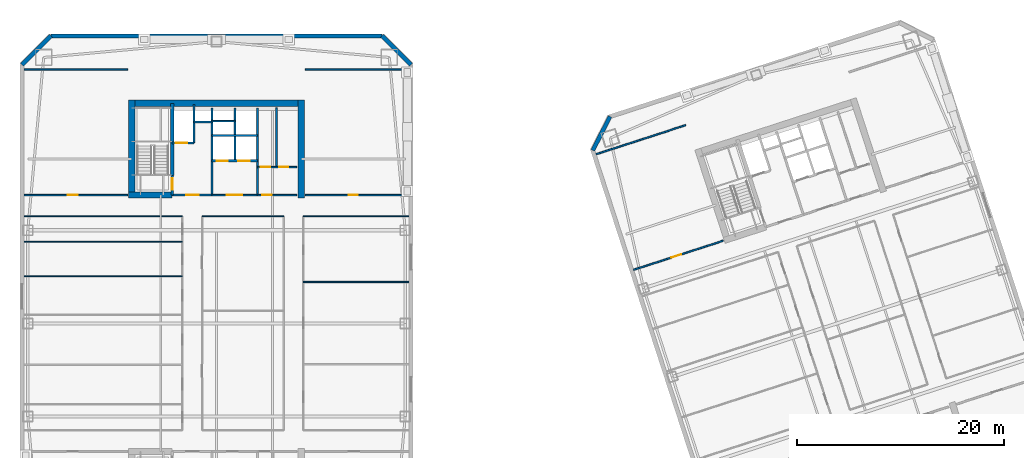
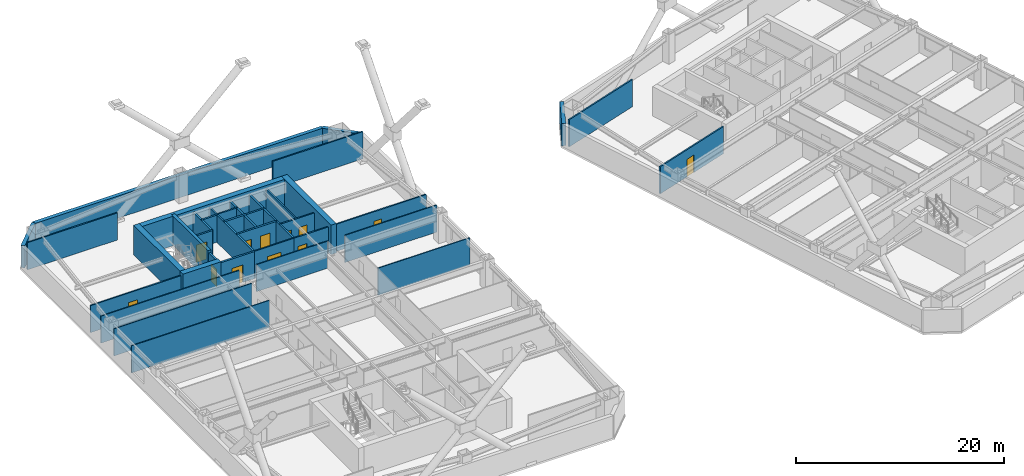
# One storey, part 6 of 12: 36 walls, 12 doors, 12 openings.
"""IFC4 building model written with IfcOpenShell, lengths in metres."""

from ifc_helpers import new_model, si_unit, direction, frame, frame_2d, origin, place, context, subcontext, project, spatial, rectangle, extrude, material, layer, layer_set, type_object, element, fill, save


model = new_model("IFC4")

# Units and contexts
model_context = context("Model", 3, precision=1e-05, world=origin(), true_north=direction((0.0, 1.0)))
body_context = subcontext(model_context, "Body", "Model", "MODEL_VIEW")
ifc_project = project(units=[si_unit("LENGTHUNIT", "METRE"), si_unit("AREAUNIT", "SQUARE_METRE"), si_unit("VOLUMEUNIT", "CUBIC_METRE"), si_unit("PLANEANGLEUNIT", "RADIAN"), si_unit("MASSUNIT", "GRAM", prefix="KILO")], contexts=[model_context])

# Site, building, storey
site_placement = place(None, origin())
site = spatial("IfcSite", under=ifc_project, at=site_placement, CompositionType="ELEMENT")
building_placement = place(site_placement, origin())
building = spatial("IfcBuilding", under=site, at=building_placement, Name="Qiaolan Cultural Towers", CompositionType="ELEMENT")
storey_placement = place(building_placement, frame((0.0, 0.0, 106.949951171875)))
storey = spatial("IfcBuildingStorey", under=building, at=storey_placement, Name="L27", CompositionType="ELEMENT", Elevation=106.949951171875)

# Walls
ifc_material_1 = material(Name="Concrete C50", Category="concrete")
ifc_layer_1 = layer(ifc_material_1, 0.35009765625)
ifc_layer_set_1 = layer_set([ifc_layer_1], Name="Concrete C50")
wall_type_1 = type_object("IfcWallType", Name="WL-CORE-350", PredefinedType="SHEAR", material=ifc_layer_set_1)
wall_1_placement = place(storey_placement, frame((25.719970703125, 48.300048828125, 0.0), z_axis=(0.0, 0.0, 1.0), x_axis=(0.0, 1.0, 0.0)))
element("IfcWall", 1, at=wall_1_placement, inside=storey, type_object=wall_type_1, Name="L27 T1-CN Stair Core Dividing Web", PredefinedType="SHEAR", context=body_context, shape_type="SweptSolid", body=[
    extrude(rectangle(XDim=6.97998046875, YDim=0.35009765625, at=frame_2d((3.489990234375, 0.0))), origin(), (0.0, 0.0, 1.0), 3.449951171875),
])
ifc_material_2 = material(Name="Concrete C55", Category="concrete")
ifc_layer_2 = layer(ifc_material_2, 0.60009765625)
ifc_layer_set_2 = layer_set([ifc_layer_2], Name="Concrete C55")
wall_type_2 = type_object("IfcWallType", Name="WL-CORE-600", PredefinedType="SHEAR", material=ifc_layer_set_2)
wall_2_placement = place(storey_placement, frame((21.5, 55.280029296875, 0.0), z_axis=(0.0, 0.0, 1.0), x_axis=(1.0, 0.0, 0.0)))
element("IfcWall", 2, at=wall_2_placement, inside=storey, type_object=wall_type_2, Name="L27 T1-CN Outer Core Shear Wall", PredefinedType="SHEAR", context=body_context, shape_type="SweptSolid", body=[
    extrude(rectangle(XDim=17.0, YDim=0.60009765625, at=frame_2d((8.5, 0.0))), origin(), (0.0, 0.0, 1.0), 3.449951171875),
])
for number, where, z_axis, x_axis, name in (
    (3, (21.800048828125, 46.10009765625, 0.0), (0.0, 0.0, 1.0), (0.0, 1.0, 0.0), "L27 T1-CN West Core Shear Wall"),
    (4, (38.199951171875, 46.10009765625, 0.0), (0.0, 0.0, 1.0), (0.0, 1.0, 0.0), "L27 T1-CN East Core Shear Wall"),
):
    element("IfcWall", number, at=place(storey_placement, frame(where, z_axis=z_axis, x_axis=x_axis)), inside=storey, type_object=wall_type_2, Name=name, PredefinedType="SHEAR", context=body_context, shape_type="SweptSolid", body=[
        extrude(rectangle(XDim=9.47998046875, YDim=0.60009765625, at=frame_2d((4.739990234375, 0.0))), origin(), (0.0, 0.0, 1.0), 3.449951171875),
    ])
wall_3_placement = place(storey_placement, frame((21.5, 46.39990234375, 0.0), z_axis=(0.0, 0.0, 1.0), x_axis=(1.0, 0.0, 0.0)))
element("IfcWall", 5, at=wall_3_placement, inside=storey, type_object=wall_type_2, Name="L27 T1-CN Stair Front Shear Wall", PredefinedType="SHEAR", context=body_context, shape_type="SweptSolid", body=[
    extrude(rectangle(XDim=4.219970703125, YDim=0.60009765625, at=frame_2d((2.10986328125, 0.0))), origin(), (0.0, 0.0, 1.0), 3.449951171875),
])
ifc_material_3 = material(Name="Precast Concrete C50 Honed Stone Pier", Category="masonry")
ifc_layer_3 = layer(ifc_material_3, 0.39990234375)
ifc_layer_set_3 = layer_set([ifc_layer_3], Name="Precast Concrete C50 Honed Stone Pier")
wall_type_3 = type_object("IfcWallType", Name="WL-EXT-PIER-400", PredefinedType="SOLIDWALL", material=ifc_layer_set_3)
wall_4_placement = place(storey_placement, frame((11.199951171875, 59.0, 0.0), z_axis=(0.0, 0.0, 1.0), x_axis=(0.707106781187, 0.707106781187, 0.0)))
element("IfcWall", 6, at=wall_4_placement, inside=storey, type_object=wall_type_3, Name="L27 West Tower Precast Pier Facade Wall F2", PredefinedType="SOLIDWALL", context=body_context, shape_type="SweptSolid", body=[
    extrude(rectangle(XDim=3.9599609375, YDim=0.39990234375, at=frame_2d((1.97998046875, 0.0))), origin(), (0.0, 0.0, 1.0), 2.610107421875),
])
wall_5_placement = place(storey_placement, frame((14.0, 61.800048828125, 0.0), z_axis=(0.0, 0.0, 1.0), x_axis=(1.0, 0.0, 0.0)))
element("IfcWall", 7, at=wall_5_placement, inside=storey, type_object=wall_type_3, Name="L27 West Tower Precast Pier Facade Wall F3", PredefinedType="SOLIDWALL", context=body_context, shape_type="SweptSolid", body=[
    extrude(rectangle(XDim=32.0, YDim=0.39990234375, at=frame_2d((16.0, 0.0))), origin(), (0.0, 0.0, 1.0), 2.610107421875),
])
wall_6_placement = place(storey_placement, frame((46.0, 61.800048828125, 0.0), z_axis=(0.0, 0.0, 1.0), x_axis=(0.707106781187, -0.707106781187, 0.0)))
element("IfcWall", 8, at=wall_6_placement, inside=storey, type_object=wall_type_3, Name="L27 West Tower Precast Pier Facade Wall F4", PredefinedType="SOLIDWALL", context=body_context, shape_type="SweptSolid", body=[
    extrude(rectangle(XDim=3.9599609375, YDim=0.39990234375, at=frame_2d((1.97998046875, 0.0))), origin(), (0.0, 0.0, 1.0), 2.610107421875),
])
wall_7_placement = place(storey_placement, frame((66.37744140625, 50.718505859375, 0.0), z_axis=(0.0, 0.0, 1.0), x_axis=(0.454026238093, 0.890988313685, 0.0)))
element("IfcWall", 9, at=wall_7_placement, inside=storey, type_object=wall_type_3, Name="L27 East Tower Precast Pier Facade Wall F2", PredefinedType="SOLIDWALL", context=body_context, shape_type="SweptSolid", body=[
    extrude(rectangle(XDim=3.677001953125, YDim=0.39990234375, at=frame_2d((1.83837890625, 0.0))), origin(), (0.0, 0.0, 1.0), 2.610107421875),
])

# Wall, opening, door
ifc_material_4 = material(Name="Concrete C35 Fire Wall", Category="concrete")
ifc_layer_4 = layer(ifc_material_4, 0.199951171875)
ifc_layer_set_4 = layer_set([ifc_layer_4], Name="Concrete C35 Fire Wall")
wall_type_4 = type_object("IfcWallType", Name="WL-FIRE-200", PredefinedType="PARTITIONING", material=ifc_layer_set_4)
wall_8_placement = place(storey_placement, frame((25.719970703125, 46.39990234375, 0.0), z_axis=(0.0, 0.0, 1.0), x_axis=(0.0, 1.0, 0.0)))
wall_8 = element("IfcWall", 10, at=wall_8_placement, inside=storey, type_object=wall_type_4, Name="L27 T1-CN Smokeproof Stair Entry Wall", PredefinedType="PARTITIONING", context=body_context, shape_type="SweptSolid", body=[
    extrude(rectangle(XDim=1.900146484375, YDim=0.199951171875, at=frame_2d((0.9501953125, 0.0))), origin(), (0.0, 0.0, 1.0), 3.175048828125),
])
opening_1_placement = place(wall_8_placement, frame((0.52001953125, 0.0, 0.0)))
opening_1 = element("IfcOpeningElement", 11, at=opening_1_placement, cuts=wall_8, Name="Opening FD-04", PredefinedType="OPENING", context=body_context, shape_type="SweptSolid", body=[
    extrude(rectangle(XDim=1.10009765625, YDim=2.050048828125, at=frame_2d((0.550048828125, 1.02490234375))), frame((0.0, 0.10986328125, 0.0), z_axis=(0.0, -1.0, 0.0), x_axis=(1.0, 0.0, 0.0)), (0.0, 0.0, 1.0), 0.219970703125),
])
ifc_material_5 = material(Name="Galvanized Steel Command Fire Door", Category="steel")
door_type_1 = type_object("IfcDoorType", Name="DR-FD90-1100", OperationType="NOTDEFINED", PredefinedType="DOOR", material=ifc_material_5)
door_1_placement = place(opening_1_placement, origin())
door_1 = element("IfcDoor", 12, at=door_1_placement, inside=storey, type_object=door_type_1, Name="L27 ST-W2 Smokeproof Stair Fire Door", OperationType="SINGLE_SWING_LEFT", OverallHeight=2.050048828125, OverallWidth=1.10009765625, PredefinedType="DOOR", context=body_context, shape_type="SweptSolid", body=[
    extrude(rectangle(XDim=1.10009765625, YDim=2.050048828125, at=frame_2d((0.550048828125, 1.02490234375))), frame((0.0, 0.02490234375, 0.0), z_axis=(0.0, -1.0, 0.0), x_axis=(1.0, 0.0, 0.0)), (0.0, 0.0, 1.0), 0.050048828125),
])
fill(opening_1, door_1)

# Wall
wall_9_placement = place(storey_placement, frame((29.550048828125, 46.39990234375, 0.0), z_axis=(0.0, 0.0, 1.0), x_axis=(0.0, 1.0, 0.0)))
element("IfcWall", 13, at=wall_9_placement, inside=storey, type_object=wall_type_4, Name="L27 T1-CN Firefighting Zone Wall", PredefinedType="PARTITIONING", context=body_context, shape_type="SweptSolid", body=[
    extrude(rectangle(XDim=8.43017578125, YDim=0.199951171875, at=frame_2d((4.215087890625, 0.0))), origin(), (0.0, 0.0, 1.0), 3.175048828125),
])

# Wall, opening, door
wall_10_placement = place(storey_placement, frame((25.719970703125, 46.39990234375, 0.0), z_axis=(0.0, 0.0, 1.0), x_axis=(1.0, 0.0, 0.0)))
wall_10 = element("IfcWall", 14, at=wall_10_placement, inside=storey, type_object=wall_type_4, Name="L27 T1-CN Firefighting Lobby Front Wall", PredefinedType="PARTITIONING", context=body_context, shape_type="SweptSolid", body=[
    extrude(rectangle(XDim=3.830078125, YDim=0.199951171875, at=frame_2d((1.9150390625, 0.0))), origin(), (0.0, 0.0, 1.0), 3.175048828125),
])
opening_2_placement = place(wall_10_placement, frame((1.35009765625, 0.0, 0.0)))
opening_2 = element("IfcOpeningElement", 15, at=opening_2_placement, cuts=wall_10, Name="Opening FD-03", PredefinedType="OPENING", context=body_context, shape_type="SweptSolid", body=[
    extrude(rectangle(XDim=1.199951171875, YDim=2.050048828125, at=frame_2d((0.60009765625, 1.02490234375))), frame((0.0, 0.10986328125, 0.0), z_axis=(0.0, -1.0, 0.0), x_axis=(1.0, 0.0, 0.0)), (0.0, 0.0, 1.0), 0.219970703125),
])
ifc_material_6 = material(Name="Galvanized Steel Smokeproof Lobby Fire Door", Category="steel")
door_type_2 = type_object("IfcDoorType", Name="DR-FD90-1200", OperationType="NOTDEFINED", PredefinedType="DOOR", material=ifc_material_6)
door_2_placement = place(opening_2_placement, origin())
door_2 = element("IfcDoor", 16, at=door_2_placement, inside=storey, type_object=door_type_2, Name="L27 FFL-W2 Firefighting Lobby Fire Door", OperationType="SINGLE_SWING_LEFT", OverallHeight=2.050048828125, OverallWidth=1.199951171875, PredefinedType="DOOR", context=body_context, shape_type="SweptSolid", body=[
    extrude(rectangle(XDim=1.199951171875, YDim=2.050048828125, at=frame_2d((0.60009765625, 1.02490234375))), frame((0.0, 0.02490234375, 0.0), z_axis=(0.0, -1.0, 0.0), x_axis=(1.0, 0.0, 0.0)), (0.0, 0.0, 1.0), 0.050048828125),
])
fill(opening_2, door_2)

wall_11_placement = place(storey_placement, frame((25.719970703125, 51.449951171875, 0.0), z_axis=(0.0, 0.0, 1.0), x_axis=(1.0, 0.0, 0.0)))
wall_11 = element("IfcWall", 17, at=wall_11_placement, inside=storey, type_object=wall_type_4, Name="L27 T1-CN Firefighting Shaft Front Wall", PredefinedType="PARTITIONING", context=body_context, shape_type="SweptSolid", body=[
    extrude(rectangle(XDim=2.10009765625, YDim=0.199951171875, at=frame_2d((1.050048828125, 0.0))), origin(), (0.0, 0.0, 1.0), 3.175048828125),
])
opening_3_placement = place(wall_11_placement, frame((0.35009765625, 0.0, 0.0)))
opening_3 = element("IfcOpeningElement", 18, at=opening_3_placement, cuts=wall_11, Name="Opening LD-01", PredefinedType="OPENING", context=body_context, shape_type="SweptSolid", body=[
    extrude(rectangle(XDim=1.10009765625, YDim=2.050048828125, at=frame_2d((0.550048828125, 1.02490234375))), frame((0.0, 0.10986328125, 0.0), z_axis=(0.0, -1.0, 0.0), x_axis=(1.0, 0.0, 0.0)), (0.0, 0.0, 1.0), 0.219970703125),
])
ifc_material_7 = material(Name="Brushed Stainless Steel S30408 Centre-Parting Lift Landing Door", Category="steel")
door_type_3 = type_object("IfcDoorType", Name="DR-LIFT-1100", OperationType="NOTDEFINED", PredefinedType="DOOR", material=ifc_material_7)
door_3_placement = place(opening_3_placement, origin())
door_3 = element("IfcDoor", 19, at=door_3_placement, inside=storey, type_object=door_type_3, Name="L27 FFL-W2 Firefighting Lift Landing Door", OperationType="DOUBLE_DOOR_SLIDING", OverallHeight=2.050048828125, OverallWidth=1.10009765625, PredefinedType="DOOR", context=body_context, shape_type="SweptSolid", body=[
    extrude(rectangle(XDim=1.10009765625, YDim=2.050048828125, at=frame_2d((0.550048828125, 1.02490234375))), frame((0.0, 0.02490234375, 0.0), z_axis=(0.0, -1.0, 0.0), x_axis=(1.0, 0.0, 0.0)), (0.0, 0.0, 1.0), 0.050048828125),
])
fill(opening_3, door_3)

# Walls
wall_12_placement = place(storey_placement, frame((27.820068359375, 51.449951171875, 0.0), z_axis=(0.0, 0.0, 1.0), x_axis=(0.0, 1.0, 0.0)))
element("IfcWall", 20, at=wall_12_placement, inside=storey, type_object=wall_type_4, Name="L27 T1-CN Firefighting Hoistway East Wall", PredefinedType="PARTITIONING", context=body_context, shape_type="SweptSolid", body=[
    extrude(rectangle(XDim=3.699951171875, YDim=0.199951171875, at=frame_2d((1.85009765625, 0.0))), origin(), (0.0, 0.0, 1.0), 3.175048828125),
])
wall_13_placement = place(storey_placement, frame((27.820068359375, 53.47998046875, 0.0), z_axis=(0.0, 0.0, 1.0), x_axis=(1.0, 0.0, 0.0)))
element("IfcWall", 21, at=wall_13_placement, inside=storey, type_object=wall_type_4, Name="L27 T1-CN Pressurization Shaft Front Wall", PredefinedType="PARTITIONING", context=body_context, shape_type="SweptSolid", body=[
    extrude(rectangle(XDim=1.72998046875, YDim=0.199951171875, at=frame_2d((0.864990234375, 0.0))), origin(), (0.0, 0.0, 1.0), 3.175048828125),
])
wall_14_placement = place(storey_placement, frame((33.949951171875, 46.39990234375, 0.0), z_axis=(0.0, 0.0, 1.0), x_axis=(0.0, 1.0, 0.0)))
element("IfcWall", 22, at=wall_14_placement, inside=storey, type_object=wall_type_4, Name="L27 T1-CN Lift Core East Wall", PredefinedType="PARTITIONING", context=body_context, shape_type="SweptSolid", body=[
    extrude(rectangle(XDim=8.43017578125, YDim=0.199951171875, at=frame_2d((4.215087890625, 0.0))), origin(), (0.0, 0.0, 1.0), 3.175048828125),
])

# Wall, openings, doors
wall_15_placement = place(storey_placement, frame((29.550048828125, 49.719970703125, 0.0), z_axis=(0.0, 0.0, 1.0), x_axis=(1.0, 0.0, 0.0)))
wall_15 = element("IfcWall", 23, at=wall_15_placement, inside=storey, type_object=wall_type_4, Name="L27 T1-CN Passenger Lift Shaft Front Wall", PredefinedType="PARTITIONING", context=body_context, shape_type="SweptSolid", body=[
    extrude(rectangle(XDim=4.39990234375, YDim=0.199951171875, at=frame_2d((2.199951171875, 0.0))), origin(), (0.0, 0.0, 1.0), 3.175048828125),
])
opening_4_placement = place(wall_15_placement, frame((0.449951171875, 0.0, 0.0)))
opening_4 = element("IfcOpeningElement", 24, at=opening_4_placement, cuts=wall_15, Name="Opening LD-01", PredefinedType="OPENING", context=body_context, shape_type="SweptSolid", body=[
    extrude(rectangle(XDim=1.10009765625, YDim=2.050048828125, at=frame_2d((0.550048828125, 1.02490234375))), frame((0.0, 0.10986328125, 0.0), z_axis=(0.0, -1.0, 0.0), x_axis=(1.0, 0.0, 0.0)), (0.0, 0.0, 1.0), 0.219970703125),
])
opening_5_placement = place(wall_15_placement, frame((2.550048828125, 0.0, 0.0)))
opening_5 = element("IfcOpeningElement", 25, at=opening_5_placement, cuts=wall_15, Name="Opening LD-01", PredefinedType="OPENING", context=body_context, shape_type="SweptSolid", body=[
    extrude(rectangle(XDim=1.10009765625, YDim=2.050048828125, at=frame_2d((0.550048828125, 1.02490234375))), frame((0.0, 0.10986328125, 0.0), z_axis=(0.0, -1.0, 0.0), x_axis=(1.0, 0.0, 0.0)), (0.0, 0.0, 1.0), 0.219970703125),
])
door_4_placement = place(opening_4_placement, origin())
door_4 = element("IfcDoor", 26, at=door_4_placement, inside=storey, type_object=door_type_3, Name="L27 Passenger Lift 1 Landing Door", OperationType="DOUBLE_DOOR_SLIDING", OverallHeight=2.050048828125, OverallWidth=1.10009765625, PredefinedType="DOOR", context=body_context, shape_type="SweptSolid", body=[
    extrude(rectangle(XDim=1.10009765625, YDim=2.050048828125, at=frame_2d((0.550048828125, 1.02490234375))), frame((0.0, 0.02490234375, 0.0), z_axis=(0.0, -1.0, 0.0), x_axis=(1.0, 0.0, 0.0)), (0.0, 0.0, 1.0), 0.050048828125),
])
fill(opening_4, door_4)
door_5_placement = place(opening_5_placement, origin())
door_5 = element("IfcDoor", 27, at=door_5_placement, inside=storey, type_object=door_type_3, Name="L27 Passenger Lift 2 Landing Door", OperationType="DOUBLE_DOOR_SLIDING", OverallHeight=2.050048828125, OverallWidth=1.10009765625, PredefinedType="DOOR", context=body_context, shape_type="SweptSolid", body=[
    extrude(rectangle(XDim=1.10009765625, YDim=2.050048828125, at=frame_2d((0.550048828125, 1.02490234375))), frame((0.0, 0.02490234375, 0.0), z_axis=(0.0, -1.0, 0.0), x_axis=(1.0, 0.0, 0.0)), (0.0, 0.0, 1.0), 0.050048828125),
])
fill(opening_5, door_5)

# Walls
wall_16_placement = place(storey_placement, frame((31.780029296875, 49.719970703125, 0.0), z_axis=(0.0, 0.0, 1.0), x_axis=(0.0, 1.0, 0.0)))
element("IfcWall", 28, at=wall_16_placement, inside=storey, type_object=wall_type_4, Name="L27 T1-CN Lift Shaft Divider Wall", PredefinedType="PARTITIONING", context=body_context, shape_type="SweptSolid", body=[
    extrude(rectangle(XDim=5.110107421875, YDim=0.199951171875, at=frame_2d((2.55517578125, 0.0))), origin(), (0.0, 0.0, 1.0), 3.175048828125),
])
wall_17_placement = place(storey_placement, frame((29.550048828125, 52.14990234375, 0.0), z_axis=(0.0, 0.0, 1.0), x_axis=(1.0, 0.0, 0.0)))
element("IfcWall", 29, at=wall_17_placement, inside=storey, type_object=wall_type_4, Name="L27 T1-CN Passenger Lift Shaft Back Wall", PredefinedType="PARTITIONING", context=body_context, shape_type="SweptSolid", body=[
    extrude(rectangle(XDim=4.39990234375, YDim=0.199951171875, at=frame_2d((2.199951171875, 0.0))), origin(), (0.0, 0.0, 1.0), 3.175048828125),
])
ifc_material_8 = material(Name="Acoustic Double-Glazed Partition Frame", Category="glass")
ifc_layer_5 = layer(ifc_material_8, 0.10009765625)
ifc_layer_set_5 = layer_set([ifc_layer_5], Name="Acoustic Double-Glazed Partition Frame")
wall_type_5 = type_object("IfcWallType", Name="WL-GLAZED-100", PredefinedType="MOVABLE", material=ifc_layer_set_5)
wall_18_placement = place(storey_placement, frame((11.39990234375, 44.35009765625, 0.0), z_axis=(0.0, 0.0, 1.0), x_axis=(1.0, 0.0, 0.0)))
element("IfcWall", 30, at=wall_18_placement, inside=storey, type_object=wall_type_5, Name="L27 T1 Interior Wall", PredefinedType="MOVABLE", context=body_context, shape_type="SweptSolid", body=[
    extrude(rectangle(XDim=15.300048828125, YDim=0.10009765625, at=frame_2d((7.64990234375, 0.0))), origin(), (0.0, 0.0, 1.0), 3.175048828125),
])
wall_19_placement = place(storey_placement, frame((28.60009765625, 44.35009765625, 0.0), z_axis=(0.0, 0.0, 1.0), x_axis=(1.0, 0.0, 0.0)))
element("IfcWall", 31, at=wall_19_placement, inside=storey, type_object=wall_type_5, Name="L27 T1 Interior Wall", PredefinedType="MOVABLE", context=body_context, shape_type="SweptSolid", body=[
    extrude(rectangle(XDim=7.89990234375, YDim=0.10009765625, at=frame_2d((3.949951171875, 0.0))), origin(), (0.0, 0.0, 1.0), 3.175048828125),
])
wall_20_placement = place(storey_placement, frame((38.39990234375, 44.35009765625, 0.0), z_axis=(0.0, 0.0, 1.0), x_axis=(1.0, 0.0, 0.0)))
element("IfcWall", 32, at=wall_20_placement, inside=storey, type_object=wall_type_5, Name="L27 T1 Interior Wall", PredefinedType="MOVABLE", context=body_context, shape_type="SweptSolid", body=[
    extrude(rectangle(XDim=10.2001953125, YDim=0.10009765625, at=frame_2d((5.10009765625, 0.0))), origin(), (0.0, 0.0, 1.0), 3.175048828125),
])
for number, where, z_axis, x_axis, name in (
    (33, (11.39990234375, 38.572021484375, 0.0), (0.0, 0.0, 1.0), (1.0, 0.0, 0.0), "L27 T1 Interior Wall"),
    (34, (11.39990234375, 41.884033203125, 0.0), (0.0, 0.0, 1.0), (1.0, 0.0, 0.0), "L27 T1 Interior Wall"),
):
    element("IfcWall", number, at=place(storey_placement, frame(where, z_axis=z_axis, x_axis=x_axis)), inside=storey, type_object=wall_type_5, Name=name, PredefinedType="MOVABLE", context=body_context, shape_type="SweptSolid", body=[
        extrude(rectangle(XDim=15.300048828125, YDim=0.10009765625, at=frame_2d((7.64990234375, 0.0))), origin(), (0.0, 0.0, 1.0), 3.175048828125),
    ])
wall_21_placement = place(storey_placement, frame((38.39990234375, 38.0, 0.0), z_axis=(0.0, 0.0, 1.0), x_axis=(1.0, 0.0, 0.0)))
element("IfcWall", 35, at=wall_21_placement, inside=storey, type_object=wall_type_5, Name="L27 T1 Interior Wall", PredefinedType="MOVABLE", context=body_context, shape_type="SweptSolid", body=[
    extrude(rectangle(XDim=10.2001953125, YDim=0.10009765625, at=frame_2d((5.10009765625, 0.0))), origin(), (0.0, 0.0, 1.0), 3.175048828125),
])

# Wall, opening, door
ifc_material_9 = material(Name="Autoclaved Aerated Concrete Block B06", Category="concrete")
ifc_layer_6 = layer(ifc_material_9, 0.14990234375)
ifc_layer_set_6 = layer_set([ifc_layer_6], Name="Autoclaved Aerated Concrete Block B06")
wall_type_6 = type_object("IfcWallType", Name="WL-PART-150", PredefinedType="PARTITIONING", material=ifc_layer_set_6)
wall_22_placement = place(storey_placement, frame((29.550048828125, 46.39990234375, 0.0), z_axis=(0.0, 0.0, 1.0), x_axis=(1.0, 0.0, 0.0)))
wall_22 = element("IfcWall", 36, at=wall_22_placement, inside=storey, type_object=wall_type_6, Name="L27 T1-CN Passenger Lift Lobby Front Wall", PredefinedType="PARTITIONING", context=body_context, shape_type="SweptSolid", body=[
    extrude(rectangle(XDim=4.39990234375, YDim=0.14990234375, at=frame_2d((2.199951171875, 0.0))), origin(), (0.0, 0.0, 1.0), 3.175048828125),
])
opening_6_placement = place(wall_22_placement, frame((1.449951171875, 0.0, 0.0)))
opening_6 = element("IfcOpeningElement", 37, at=opening_6_placement, cuts=wall_22, Name="Opening FD-05", PredefinedType="OPENING", context=body_context, shape_type="SweptSolid", body=[
    extrude(rectangle(XDim=1.5, YDim=2.050048828125, at=frame_2d((0.75, 1.02490234375))), frame((0.0, 0.0849609375, 0.0), z_axis=(0.0, -1.0, 0.0), x_axis=(1.0, 0.0, 0.0)), (0.0, 0.0, 1.0), 0.169921875),
])
ifc_material_10 = material(Name="Painted Steel Lift Lobby Fire Door", Category="steel")
door_type_4 = type_object("IfcDoorType", Name="DR-FD60-1500", OperationType="NOTDEFINED", PredefinedType="DOOR", material=ifc_material_10)
door_6_placement = place(opening_6_placement, origin())
door_6 = element("IfcDoor", 38, at=door_6_placement, inside=storey, type_object=door_type_4, Name="L27 Passenger Lift Lobby Entrance", OperationType="SINGLE_SWING_LEFT", OverallHeight=2.050048828125, OverallWidth=1.5, PredefinedType="DOOR", context=body_context, shape_type="SweptSolid", body=[
    extrude(rectangle(XDim=1.5, YDim=2.050048828125, at=frame_2d((0.75, 1.02490234375))), frame((0.0, 0.02490234375, 0.0), z_axis=(0.0, -1.0, 0.0), x_axis=(1.0, 0.0, 0.0)), (0.0, 0.0, 1.0), 0.050048828125),
])
fill(opening_6, door_6)

# Wall
wall_23_placement = place(storey_placement, frame((29.550048828125, 53.550048828125, 0.0), z_axis=(0.0, 0.0, 1.0), x_axis=(1.0, 0.0, 0.0)))
element("IfcWall", 39, at=wall_23_placement, inside=storey, type_object=wall_type_6, Name="L27 T1-CN Core Rear Riser Split", PredefinedType="PARTITIONING", context=body_context, shape_type="SweptSolid", body=[
    extrude(rectangle(XDim=2.22998046875, YDim=0.14990234375, at=frame_2d((1.114990234375, 0.0))), origin(), (0.0, 0.0, 1.0), 3.175048828125),
])

# Wall, opening, door
wall_24_placement = place(storey_placement, frame((33.949951171875, 46.39990234375, 0.0), z_axis=(0.0, 0.0, 1.0), x_axis=(1.0, 0.0, 0.0)))
wall_24 = element("IfcWall", 40, at=wall_24_placement, inside=storey, type_object=wall_type_6, Name="L27 T1-CN Sanitary Core Front Wall", PredefinedType="PARTITIONING", context=body_context, shape_type="SweptSolid", body=[
    extrude(rectangle(XDim=3.800048828125, YDim=0.14990234375, at=frame_2d((1.89990234375, 0.0))), origin(), (0.0, 0.0, 1.0), 3.175048828125),
])
opening_7_placement = place(wall_24_placement, frame((0.449951171875, 0.0, 0.0)))
opening_7 = element("IfcOpeningElement", 41, at=opening_7_placement, cuts=wall_24, Name="Opening ID-05", PredefinedType="OPENING", context=body_context, shape_type="SweptSolid", body=[
    extrude(rectangle(XDim=0.949951171875, YDim=2.050048828125, at=frame_2d((0.47509765625, 1.02490234375))), frame((0.0, 0.0849609375, 0.0), z_axis=(0.0, -1.0, 0.0), x_axis=(1.0, 0.0, 0.0)), (0.0, 0.0, 1.0), 0.169921875),
])
ifc_material_11 = material(Name="Fire-Rated Laminate Accessible Core Door", Category="timber")
door_type_5 = type_object("IfcDoorType", Name="DR-INT-950", OperationType="NOTDEFINED", PredefinedType="DOOR", material=ifc_material_11)
door_7_placement = place(opening_7_placement, origin())
door_7 = element("IfcDoor", 42, at=door_7_placement, inside=storey, type_object=door_type_5, Name="L27 Sanitary Vestibule Door", OperationType="SINGLE_SWING_LEFT", OverallHeight=2.050048828125, OverallWidth=0.949951171875, PredefinedType="DOOR", context=body_context, shape_type="SweptSolid", body=[
    extrude(rectangle(XDim=0.949951171875, YDim=2.050048828125, at=frame_2d((0.47509765625, 1.02490234375))), frame((0.0, 0.02490234375, 0.0), z_axis=(0.0, -1.0, 0.0), x_axis=(1.0, 0.0, 0.0)), (0.0, 0.0, 1.0), 0.050048828125),
])
fill(opening_7, door_7)

# Wall, openings, doors
wall_25_placement = place(storey_placement, frame((33.949951171875, 49.10009765625, 0.0), z_axis=(0.0, 0.0, 1.0), x_axis=(1.0, 0.0, 0.0)))
wall_25 = element("IfcWall", 43, at=wall_25_placement, inside=storey, type_object=wall_type_6, Name="L27 T1-CN Restroom Vestibule Wall", PredefinedType="PARTITIONING", context=body_context, shape_type="SweptSolid", body=[
    extrude(rectangle(XDim=3.800048828125, YDim=0.14990234375, at=frame_2d((1.89990234375, 0.0))), origin(), (0.0, 0.0, 1.0), 3.175048828125),
])
opening_8_placement = place(wall_25_placement, frame((0.35009765625, 0.0, 0.0)))
opening_8 = element("IfcOpeningElement", 44, at=opening_8_placement, cuts=wall_25, Name="Opening ID-06", PredefinedType="OPENING", context=body_context, shape_type="SweptSolid", body=[
    extrude(rectangle(XDim=0.89990234375, YDim=2.050048828125, at=frame_2d((0.449951171875, 1.02490234375))), frame((0.0, 0.0849609375, 0.0), z_axis=(0.0, -1.0, 0.0), x_axis=(1.0, 0.0, 0.0)), (0.0, 0.0, 1.0), 0.169921875),
])
opening_9_placement = place(wall_25_placement, frame((2.10009765625, 0.0, 0.0)))
opening_9 = element("IfcOpeningElement", 45, at=opening_9_placement, cuts=wall_25, Name="Opening ID-06", PredefinedType="OPENING", context=body_context, shape_type="SweptSolid", body=[
    extrude(rectangle(XDim=0.89990234375, YDim=2.050048828125, at=frame_2d((0.449951171875, 1.02490234375))), frame((0.0, 0.0849609375, 0.0), z_axis=(0.0, -1.0, 0.0), x_axis=(1.0, 0.0, 0.0)), (0.0, 0.0, 1.0), 0.169921875),
])
ifc_material_12 = material(Name="Fire-Rated Laminate Core Service Door", Category="timber")
door_type_6 = type_object("IfcDoorType", Name="DR-INT-900", OperationType="NOTDEFINED", PredefinedType="DOOR", material=ifc_material_12)
door_8_placement = place(opening_8_placement, origin())
door_8 = element("IfcDoor", 46, at=door_8_placement, inside=storey, type_object=door_type_6, Name="L27 Men Restroom Door", OperationType="SINGLE_SWING_LEFT", OverallHeight=2.050048828125, OverallWidth=0.89990234375, PredefinedType="DOOR", context=body_context, shape_type="SweptSolid", body=[
    extrude(rectangle(XDim=0.89990234375, YDim=2.050048828125, at=frame_2d((0.449951171875, 1.02490234375))), frame((0.0, 0.02490234375, 0.0), z_axis=(0.0, -1.0, 0.0), x_axis=(1.0, 0.0, 0.0)), (0.0, 0.0, 1.0), 0.050048828125),
])
fill(opening_8, door_8)
door_9_placement = place(opening_9_placement, origin())
door_9 = element("IfcDoor", 47, at=door_9_placement, inside=storey, type_object=door_type_6, Name="L27 Accessible & Women Restroom Door", OperationType="SINGLE_SWING_RIGHT", OverallHeight=2.050048828125, OverallWidth=0.89990234375, PredefinedType="DOOR", context=body_context, shape_type="SweptSolid", body=[
    extrude(rectangle(XDim=0.89990234375, YDim=2.050048828125, at=frame_2d((0.449951171875, 1.02490234375))), frame((0.0, 0.02490234375, 0.0), z_axis=(0.0, -1.0, 0.0), x_axis=(1.0, 0.0, 0.0)), (0.0, 0.0, 1.0), 0.050048828125),
])
fill(opening_9, door_9)

# Walls
wall_26_placement = place(storey_placement, frame((35.800048828125, 49.10009765625, 0.0), z_axis=(0.0, 0.0, 1.0), x_axis=(0.0, 1.0, 0.0)))
element("IfcWall", 48, at=wall_26_placement, inside=storey, type_object=wall_type_6, Name="L27 T1-CN Restroom Divider Wall", PredefinedType="PARTITIONING", context=body_context, shape_type="SweptSolid", body=[
    extrude(rectangle(XDim=5.72998046875, YDim=0.14990234375, at=frame_2d((2.864990234375, 0.0))), origin(), (0.0, 0.0, 1.0), 3.175048828125),
])
wall_27_placement = place(storey_placement, frame((11.39990234375, 58.550048828125, 0.0), z_axis=(0.0, 0.0, 1.0), x_axis=(1.0, 0.0, 0.0)))
element("IfcWall", 49, at=wall_27_placement, inside=storey, type_object=wall_type_6, Name="L27 T1 Flank Wall FLK-NW", PredefinedType="PARTITIONING", context=body_context, shape_type="SweptSolid", body=[
    extrude(rectangle(XDim=10.0, YDim=0.14990234375, at=frame_2d((5.0, 0.0))), origin(), (0.0, 0.0, 1.0), 3.175048828125),
])

# Wall, opening, door
wall_28_placement = place(storey_placement, frame((11.39990234375, 46.39990234375, 0.0), z_axis=(0.0, 0.0, 1.0), x_axis=(1.0, 0.0, 0.0)))
wall_28 = element("IfcWall", 50, at=wall_28_placement, inside=storey, type_object=wall_type_6, Name="L27 T1 Flank Front FLK-NW", PredefinedType="PARTITIONING", context=body_context, shape_type="SweptSolid", body=[
    extrude(rectangle(XDim=10.0, YDim=0.14990234375, at=frame_2d((5.0, 0.0))), origin(), (0.0, 0.0, 1.0), 3.175048828125),
])
opening_10_placement = place(wall_28_placement, frame((4.199951171875, 0.0, 0.0)))
opening_10 = element("IfcOpeningElement", 51, at=opening_10_placement, cuts=wall_28, Name="Opening ID-04", PredefinedType="OPENING", context=body_context, shape_type="SweptSolid", body=[
    extrude(rectangle(XDim=1.0, YDim=2.050048828125, at=frame_2d((0.5, 1.02490234375))), frame((0.0, 0.0849609375, 0.0), z_axis=(0.0, -1.0, 0.0), x_axis=(1.0, 0.0, 0.0)), (0.0, 0.0, 1.0), 0.169921875),
])
ifc_material_13 = material(Name="Oak Veneer Acoustic Office Door", Category="timber")
door_type_7 = type_object("IfcDoorType", Name="DR-INT-1000", OperationType="NOTDEFINED", PredefinedType="DOOR", material=ifc_material_13)
door_10_placement = place(opening_10_placement, origin())
door_10 = element("IfcDoor", 52, at=door_10_placement, inside=storey, type_object=door_type_7, Name="L27 T1 Corner Studio Door", OperationType="SINGLE_SWING_LEFT", OverallHeight=2.050048828125, OverallWidth=1.0, PredefinedType="DOOR", context=body_context, shape_type="SweptSolid", body=[
    extrude(rectangle(XDim=1.0, YDim=2.050048828125, at=frame_2d((0.5, 1.02490234375))), frame((0.0, 0.02490234375, 0.0), z_axis=(0.0, -1.0, 0.0), x_axis=(1.0, 0.0, 0.0)), (0.0, 0.0, 1.0), 0.050048828125),
])
fill(opening_10, door_10)

# Wall
wall_29_placement = place(storey_placement, frame((38.60009765625, 58.550048828125, 0.0), z_axis=(0.0, 0.0, 1.0), x_axis=(1.0, 0.0, 0.0)))
element("IfcWall", 53, at=wall_29_placement, inside=storey, type_object=wall_type_6, Name="L27 T1 Flank Wall FLK-NE", PredefinedType="PARTITIONING", context=body_context, shape_type="SweptSolid", body=[
    extrude(rectangle(XDim=10.0, YDim=0.14990234375, at=frame_2d((5.0, 0.0))), origin(), (0.0, 0.0, 1.0), 3.175048828125),
])

# Wall, opening, door
wall_30_placement = place(storey_placement, frame((38.60009765625, 46.39990234375, 0.0), z_axis=(0.0, 0.0, 1.0), x_axis=(1.0, 0.0, 0.0)))
wall_30 = element("IfcWall", 54, at=wall_30_placement, inside=storey, type_object=wall_type_6, Name="L27 T1 Flank Front FLK-NE", PredefinedType="PARTITIONING", context=body_context, shape_type="SweptSolid", body=[
    extrude(rectangle(XDim=10.0, YDim=0.14990234375, at=frame_2d((5.0, 0.0))), origin(), (0.0, 0.0, 1.0), 3.175048828125),
])
opening_11_placement = place(wall_30_placement, frame((4.199951171875, 0.0, 0.0)))
opening_11 = element("IfcOpeningElement", 55, at=opening_11_placement, cuts=wall_30, Name="Opening ID-09", PredefinedType="OPENING", context=body_context, shape_type="SweptSolid", body=[
    extrude(rectangle(XDim=0.85009765625, YDim=2.050048828125, at=frame_2d((0.425048828125, 1.02490234375))), frame((0.0, 0.0849609375, 0.0), z_axis=(0.0, -1.0, 0.0), x_axis=(1.0, 0.0, 0.0)), (0.0, 0.0, 1.0), 0.169921875),
])
ifc_material_14 = material(Name="Moisture-Resistant Laminate Utility Door", Category="timber")
door_type_8 = type_object("IfcDoorType", Name="DR-INT-850", OperationType="NOTDEFINED", PredefinedType="DOOR", material=ifc_material_14)
door_11_placement = place(opening_11_placement, origin())
door_11 = element("IfcDoor", 56, at=door_11_placement, inside=storey, type_object=door_type_8, Name="L27 T1 Corner Studio Door", OperationType="SINGLE_SWING_LEFT", OverallHeight=2.050048828125, OverallWidth=0.85009765625, PredefinedType="DOOR", context=body_context, shape_type="SweptSolid", body=[
    extrude(rectangle(XDim=0.85009765625, YDim=2.050048828125, at=frame_2d((0.425048828125, 1.02490234375))), frame((0.0, 0.02490234375, 0.0), z_axis=(0.0, -1.0, 0.0), x_axis=(1.0, 0.0, 0.0)), (0.0, 0.0, 1.0), 0.050048828125),
])
fill(opening_11, door_11)

# Wall
wall_31_placement = place(storey_placement, frame((66.706787109375, 50.352294921875, 0.0), z_axis=(0.0, 0.0, 1.0), x_axis=(0.951057133767, 0.309015093986, 0.0)))
element("IfcWall", 57, at=wall_31_placement, inside=storey, type_object=wall_type_6, Name="L27 T2 Flank Wall FLK-NW", PredefinedType="PARTITIONING", context=body_context, shape_type="SweptSolid", body=[
    extrude(rectangle(XDim=9.099853515625, YDim=0.14990234375, at=frame_2d((4.5498046875, 0.0))), origin(), (0.0, 0.0, 1.0), 3.175048828125),
])

# Wall, opening, door
wall_32_placement = place(storey_placement, frame((70.337646484375, 39.177490234375, 0.0), z_axis=(0.0, 0.0, 1.0), x_axis=(0.951059695568, 0.309007209409, 0.0)))
wall_32 = element("IfcWall", 58, at=wall_32_placement, inside=storey, type_object=wall_type_6, Name="L27 T2 Flank Front FLK-NW", PredefinedType="PARTITIONING", context=body_context, shape_type="SweptSolid", body=[
    extrude(rectangle(XDim=9.10009765625, YDim=0.14990234375, at=frame_2d((4.550048828125, 0.0))), origin(), (0.0, 0.0, 1.0), 3.175048828125),
])
opening_12_placement = place(wall_32_placement, frame((3.822021484375, 0.0, 0.0)))
opening_12 = element("IfcOpeningElement", 59, at=opening_12_placement, cuts=wall_32, Name="Opening ID-04", PredefinedType="OPENING", context=body_context, shape_type="SweptSolid", body=[
    extrude(rectangle(XDim=1.0, YDim=2.050048828125, at=frame_2d((0.5, 1.02490234375))), frame((0.0, 0.0849609375, 0.0), z_axis=(0.0, -1.0, 0.0), x_axis=(1.0, 0.0, 0.0)), (0.0, 0.0, 1.0), 0.169921875),
])
door_12_placement = place(opening_12_placement, origin())
door_12 = element("IfcDoor", 60, at=door_12_placement, inside=storey, type_object=door_type_7, Name="L27 T2 Corner Studio Door", OperationType="SINGLE_SWING_LEFT", OverallHeight=2.050048828125, OverallWidth=1.0, PredefinedType="DOOR", context=body_context, shape_type="SweptSolid", body=[
    extrude(rectangle(XDim=1.0, YDim=2.050048828125, at=frame_2d((0.5, 1.02490234375))), frame((0.0, 0.02490234375, 0.0), z_axis=(0.0, -1.0, 0.0), x_axis=(1.0, 0.0, 0.0)), (0.0, 0.0, 1.0), 0.050048828125),
])
fill(opening_12, door_12)

save(model, "model.ifc")
